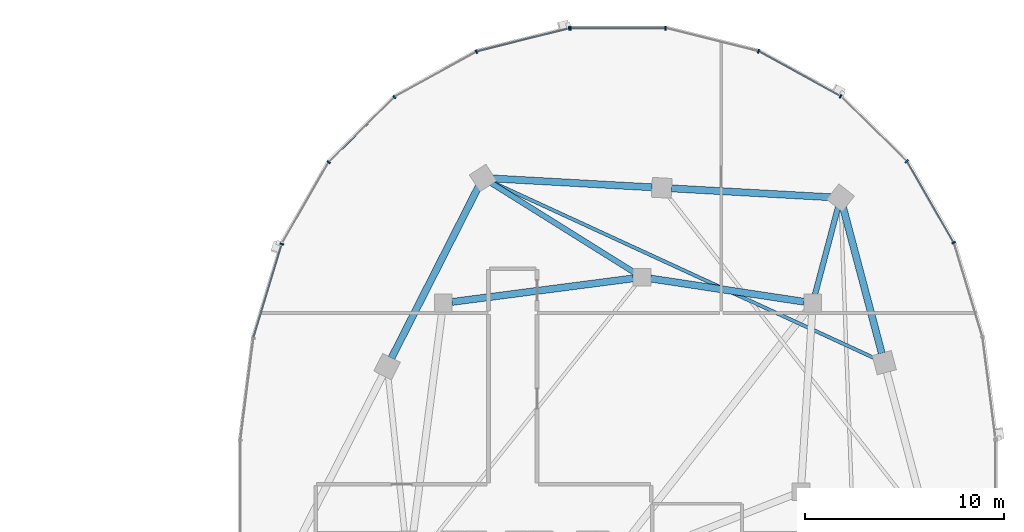
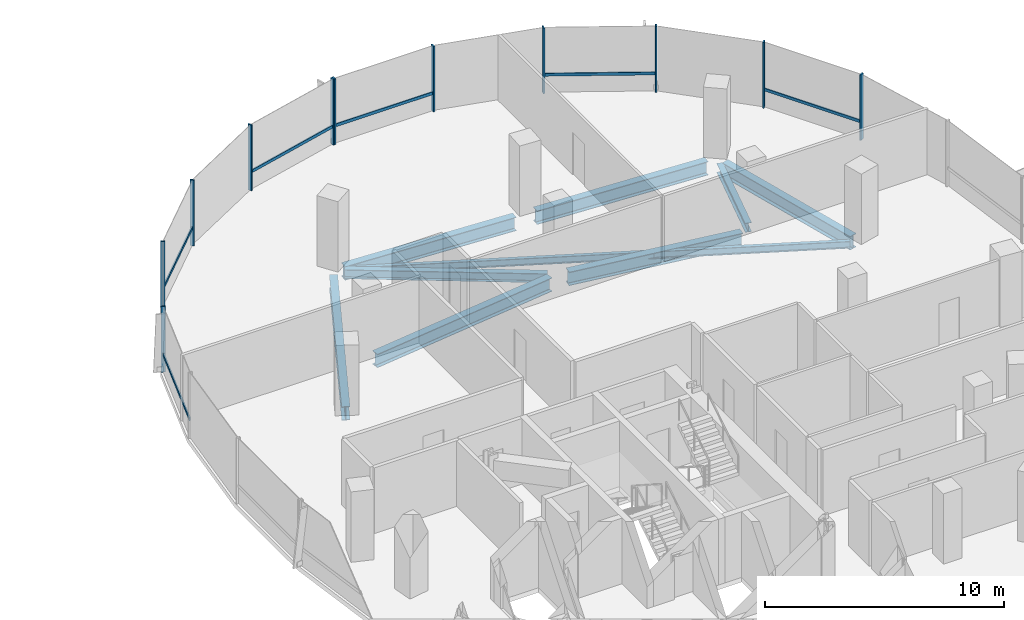
# One storey, part 9 of 22: 17 members, 9 beams, 2 elements without a shape of their own.
"""IFC4 building model written with IfcOpenShell, lengths in metres."""

import ifcopenshell
import ifcopenshell.guid

model = None  # the IFC model being written
_history = None  # IfcOwnerHistory: only IFC2X3 demands one
_inside = {}  # id of a spatial element -> (the spatial element, [elements in it])
_under = {}  # id of a project, library or spatial element -> (it, [spatial elements below it])
_declared = {}  # id of a project -> (the project, [libraries it declares])
_typed = {}  # id of a type object -> (the type object, [elements of that type])
_made_of = {}  # id of a material, layer set ... -> (it, [elements and type objects made of it])


def new_model(schema):
    """Start an empty IFC model of exactly this schema.

    Asked for "IFC4X3", IfcOpenShell would pick the latest addendum, in which some entities
    have other attributes; the version numbers below select the first issue.
    IFC2X3 requires an IfcOwnerHistory on every rooted entity: one is made here for all.
    """
    global model, _history
    if schema == "IFC4X3":
        model = ifcopenshell.file(schema_version=(4, 3, 0, 0))
    else:
        model = ifcopenshell.file(schema=schema)
    _inside.clear()
    _under.clear()
    _declared.clear()
    _typed.clear()
    _made_of.clear()
    _history = None
    if model.schema == "IFC2X3":
        org = make("IfcOrganization", Name="unknown")
        user = make(
            "IfcPersonAndOrganization",
            ThePerson=make("IfcPerson", FamilyName="unknown"),
            TheOrganization=org,
        )
        app = make(
            "IfcApplication",
            ApplicationDeveloper=org,
            Version="unknown",
            ApplicationFullName="unknown",
            ApplicationIdentifier="unknown",
        )
        _history = make(
            "IfcOwnerHistory",
            OwningUser=user,
            OwningApplication=app,
            ChangeAction="ADDED",
            CreationDate=0,
        )
    return model


def make(cls, **values):
    """One entity of the class cls with the attributes given. An attribute that is None is left unset."""
    return model.create_entity(
        cls, **{name: value for name, value in values.items() if value is not None}
    )


def rooted(cls, **values):
    """An entity with a GlobalId (a new one), such as an element, a storey or a relation."""
    return make(cls, GlobalId=ifcopenshell.guid.new(), OwnerHistory=_history, **values)


def si_unit(unit_type, name, prefix=None):
    """IfcSIUnit, for example si_unit("LENGTHUNIT", "METRE", prefix="MILLI")."""
    return make("IfcSIUnit", UnitType=unit_type, Prefix=prefix, Name=name)


def assignment(units):
    """IfcUnitAssignment: the units of a project."""
    return None if units is None else make("IfcUnitAssignment", Units=units)


def point(xyz):
    """IfcCartesianPoint."""
    return None if xyz is None else make("IfcCartesianPoint", Coordinates=xyz)


def direction(xyz):
    """IfcDirection."""
    return None if xyz is None else make("IfcDirection", DirectionRatios=xyz)


def frame(location, z_axis=None, x_axis=None):
    """IfcAxis2Placement3D, a coordinate frame: its origin and axes. An axis left out is left unset."""
    return make(
        "IfcAxis2Placement3D",
        Location=point(location),
        Axis=direction(z_axis),
        RefDirection=direction(x_axis),
    )


def frame_2d(location, x_axis=None):
    """IfcAxis2Placement2D, a coordinate frame in the plane: its origin and x axis."""
    return make(
        "IfcAxis2Placement2D", Location=point(location), RefDirection=direction(x_axis)
    )


def origin():
    """The frame at (0, 0, 0) with its axes left unset."""
    return frame((0.0, 0.0, 0.0))


def origin_2d():
    """The frame at (0, 0) in the plane with its x axis left unset."""
    return frame_2d((0.0, 0.0))


def place(relative_to, where):
    """IfcLocalPlacement: puts the frame where relative to a parent placement (None: the world)."""
    return make(
        "IfcLocalPlacement", PlacementRelTo=relative_to, RelativePlacement=where
    )


def context(
    kind, dimensions, precision=None, world=None, true_north=None, identifier=None
):
    """IfcGeometricRepresentationContext, for example the 3D "Model" context."""
    return make(
        "IfcGeometricRepresentationContext",
        ContextIdentifier=identifier,
        ContextType=kind,
        CoordinateSpaceDimension=dimensions,
        Precision=precision,
        WorldCoordinateSystem=world,
        TrueNorth=true_north,
    )


def subcontext(parent, identifier, kind, view, scale=None):
    """IfcGeometricRepresentationSubContext, for example "Body" below "Model"."""
    return make(
        "IfcGeometricRepresentationSubContext",
        ContextIdentifier=identifier,
        ContextType=kind,
        ParentContext=parent,
        TargetScale=scale,
        TargetView=view,
    )


def project(units=None, contexts=None):
    """IfcProject with its units and contexts."""
    return rooted(
        "IfcProject",
        Name="project",
        RepresentationContexts=contexts,
        UnitsInContext=assignment(units),
    )


def spatial(cls, under=None, at=None, **own):
    """A site, building, storey or space (cls), placed at a placement, below another one or the project."""
    s = rooted(cls, ObjectPlacement=at, **own)
    if under is not None:
        _under.setdefault(under.id(), (under, []))[1].append(s)
    return s


def profile(cls, at=None, kind="AREA", **sizes):
    """A parametric profile (cls). Its sizes go by their IFC names, for example OverallWidth=200.0."""
    return make(cls, ProfileType=kind, Position=at, **sizes)


def rectangle(**sizes):
    """IfcRectangleProfileDef."""
    return profile("IfcRectangleProfileDef", **sizes)


def i_section(**sizes):
    """IfcIShapeProfileDef."""
    return profile("IfcIShapeProfileDef", **sizes)


def extrude(swept, where, along, depth):
    """IfcExtrudedAreaSolid: the profile swept, set in the frame where, extruded along a direction by depth."""
    return make(
        "IfcExtrudedAreaSolid",
        SweptArea=swept,
        Position=where,
        ExtrudedDirection=direction(along),
        Depth=depth,
    )


def shape(context_of_items, identifier, shape_type, items):
    """IfcShapeRepresentation: the items that make up one representation, for example the "Body"."""
    return make(
        "IfcShapeRepresentation",
        ContextOfItems=context_of_items,
        RepresentationIdentifier=identifier,
        RepresentationType=shape_type,
        Items=items,
    )


def material(Name=None, Category=None):
    """IfcMaterial."""
    return make("IfcMaterial", Name=Name, Category=Category)


def material_profile(
    of_material, cross_section, Name=None, Category=None, Priority=None
):
    """IfcMaterialProfile: a cross section and its material."""
    return make(
        "IfcMaterialProfile",
        Name=Name,
        Material=of_material,
        Profile=cross_section,
        Priority=Priority,
        Category=Category,
    )


def profile_set(profiles, Name=None, composite=None):
    """IfcMaterialProfileSet."""
    return make(
        "IfcMaterialProfileSet",
        Name=Name,
        MaterialProfiles=profiles,
        CompositeProfile=composite,
    )


def made_of(thing, what):
    """Note that an element or type object is made of a material, layer set ...; save() writes the relation."""
    if what is not None:
        _made_of.setdefault(what.id(), (what, []))[1].append(thing)
    return thing


def type_object(cls, material=None, **own):
    """A type object (cls), such as IfcWallType, which elements share."""
    return made_of(rooted(cls, **own), material)


def element(
    cls,
    number,
    at=None,
    inside=None,
    cuts=None,
    type_object=None,
    material=None,
    context=None,
    identifier="Body",
    shape_type=None,
    held_by="IfcProductDefinitionShape",
    body=None,
    shapes=None,
    **own,
):
    """One element of the class cls, such as IfcWall. Its Tag is "e" and its number.

    at: its placement. inside: the storey or other place that contains it. cuts: it is an
    opening in that element (IfcRelVoidsElement). A single representation is given by context,
    identifier, shape_type and body (its items); several are given by shapes. held_by: the class
    of the entity that holds the representations. save() writes the other relations.
    """
    e = rooted(cls, Tag="e%d" % number, ObjectPlacement=at, **own)
    if body is not None:
        shapes = [shape(context, identifier, shape_type, body)]
    if shapes is not None:
        e.Representation = make(held_by, Representations=shapes)
    if inside is not None:
        _inside.setdefault(inside.id(), (inside, []))[1].append(e)
    if cuts is not None:
        rooted(
            "IfcRelVoidsElement", RelatingBuildingElement=cuts, RelatedOpeningElement=e
        )
    if type_object is not None:
        _typed.setdefault(type_object.id(), (type_object, []))[1].append(e)
    return made_of(e, material)


def aggregate(whole, parts):
    """IfcRelAggregates: a whole, such as a stair, and the parts it consists of."""
    return rooted("IfcRelAggregates", RelatingObject=whole, RelatedObjects=parts)


def save(model, path):
    """Write the relations noted so far, then the file.

    IfcRelAggregates (storeys below a building ...), IfcRelContainedInSpatialStructure (elements
    in a storey), IfcRelDefinesByType, IfcRelAssociatesMaterial and IfcRelDeclares: one each for
    every whole, place, type object, material and project.
    """
    for whole, parts in _under.values():
        aggregate(whole, parts)
    for where, things in _inside.values():
        rooted(
            "IfcRelContainedInSpatialStructure",
            RelatedElements=things,
            RelatingStructure=where,
        )
    for kind, things in _typed.values():
        rooted("IfcRelDefinesByType", RelatedObjects=things, RelatingType=kind)
    for what, things in _made_of.values():
        rooted("IfcRelAssociatesMaterial", RelatedObjects=things, RelatingMaterial=what)
    for by, libraries in _declared.values():
        rooted("IfcRelDeclares", RelatingContext=by, RelatedDefinitions=libraries)
    model.write(path)


model = new_model("IFC4")

# Units and contexts
model_context = context("Model", 3, precision=1e-05, world=origin(), true_north=direction((0.0, 1.0)))
body_context = subcontext(model_context, "Body", "Model", "MODEL_VIEW")
ifc_project = project(units=[si_unit("LENGTHUNIT", "METRE"), si_unit("AREAUNIT", "SQUARE_METRE"), si_unit("VOLUMEUNIT", "CUBIC_METRE"), si_unit("PLANEANGLEUNIT", "RADIAN"), si_unit("MASSUNIT", "GRAM", prefix="KILO"), si_unit("THERMODYNAMICTEMPERATUREUNIT", "KELVIN"), si_unit("POWERUNIT", "WATT")], contexts=[model_context])

# Site, building, storey
site_placement = place(None, origin())
site = spatial("IfcSite", under=ifc_project, at=site_placement, CompositionType="ELEMENT")
building_placement = place(site_placement, origin())
building = spatial("IfcBuilding", under=site, at=building_placement, Name="Cundina Bronze Exchange", CompositionType="ELEMENT")
storey_placement = place(building_placement, frame((0.0, 0.0, 147.60009765625)))
storey = spatial("IfcBuildingStorey", under=building, at=storey_placement, Name="L38", CompositionType="ELEMENT", Elevation=147.60009765625)

# Beams
ifc_material_1 = material(Name="Steel ASTM A992 Grade 50", Category="steel")
ifc_material_profile_1 = material_profile(ifc_material_1, i_section(OverallWidth=0.280029296875, OverallDepth=0.462890625, WebThickness=0.0107421875, FlangeThickness=0.017333984375, FilletRadius=0.011962890625, at=origin_2d()), Name="W18X76", Category="steel")
ifc_profile_set_1 = profile_set([ifc_material_profile_1], Name="Steel ASTM A992 Grade 50")
beam_type_1 = type_object("IfcBeamType", Name="BM-FLR-W18A", PredefinedType="BEAM", material=ifc_profile_set_1)
beam_1_placement = place(storey_placement, frame((41.911865234375, 9.923583984375, -0.4716796875), z_axis=(0.255413807463, 0.966831829719, 0.0), x_axis=(-0.966831829719, 0.255413807463, 0.0)))
element("IfcBeam", 1, at=beam_1_placement, inside=storey, type_object=beam_type_1, Name="L38 Leg E Chordal Floor Beam 10", PredefinedType="BEAM", context=body_context, shape_type="SweptSolid", body=[
    extrude(i_section(OverallWidth=0.280029296875, OverallDepth=0.462890625, WebThickness=0.0107421875, FlangeThickness=0.017333984375, FilletRadius=0.011962890625, at=origin_2d()), origin(), (0.0, 0.0, 1.0), 4.5556640625),
])
beam_2_placement = place(storey_placement, frame((32.82861328125, 11.031982421875, -0.4716796875), z_axis=(-0.847985407265, 0.530019574228, 0.0), x_axis=(-0.530019574228, -0.847985407265, 0.0)))
element("IfcBeam", 2, at=beam_2_placement, inside=storey, type_object=beam_type_1, Name="L38 Leg E Chordal Floor Beam 12", PredefinedType="BEAM", context=body_context, shape_type="SweptSolid", body=[
    extrude(i_section(OverallWidth=0.280029296875, OverallDepth=0.462890625, WebThickness=0.0107421875, FlangeThickness=0.017333984375, FilletRadius=0.011962890625, at=origin_2d()), origin(), (0.0, 0.0, 1.0), 8.50830078125),
])
ifc_material_profile_2 = material_profile(ifc_material_1, i_section(OverallWidth=0.172119140625, OverallDepth=0.35791015625, WebThickness=0.0078125, FlangeThickness=0.01318359375, FilletRadius=0.010009765625, at=origin_2d()), Name="W14X38", Category="steel")
ifc_profile_set_2 = profile_set([ifc_material_profile_2], Name="Steel ASTM A992 Grade 50")
beam_type_2 = type_object("IfcBeamType", Name="BM-JST-W14", PredefinedType="JOIST", material=ifc_profile_set_2)
beam_3_placement = place(storey_placement, frame((44.956787109375, 6.7041015625, -0.419189453125), z_axis=(-0.908353865734, 0.418202408655, 0.0), x_axis=(-0.418202408655, -0.908353865734, 0.0)))
element("IfcBeam", 3, at=beam_3_placement, inside=storey, type_object=beam_type_2, Name="L38 Leg E Lobe Floor Joist 09-12", PredefinedType="JOIST", context=body_context, shape_type="SweptSolid", body=[
    extrude(i_section(OverallWidth=0.172119140625, OverallDepth=0.35791015625, WebThickness=0.0078125, FlangeThickness=0.01318359375, FilletRadius=0.010009765625, at=origin_2d()), origin(), (0.0, 0.0, 1.0), 21.261962890625),
])
ifc_material_profile_3 = material_profile(ifc_material_1, i_section(OverallWidth=0.35498046875, OverallDepth=0.695068359375, WebThickness=0.015380859375, FlangeThickness=0.02490234375, FilletRadius=0.01806640625, at=origin_2d()), Name="W27X146", Category="steel")
ifc_profile_set_3 = profile_set([ifc_material_profile_3], Name="Steel ASTM A992 Grade 50")
beam_type_3 = type_object("IfcBeamType", Name="BM-RING-W27", PredefinedType="USERDEFINED", material=ifc_profile_set_3)
beam_4_placement = place(storey_placement, frame((41.366943359375, 9.5654296875, -0.587646484375), z_axis=(-0.988764903598, 0.149478979839, 0.0), x_axis=(-0.149478979839, -0.988764903598, 0.0)))
element("IfcBeam", 4, at=beam_4_placement, inside=storey, type_object=beam_type_3, Name="L38 E Inner Structural Ring Girder 05", ObjectType="GIRDER", PredefinedType="USERDEFINED", context=body_context, shape_type="SweptSolid", body=[
    extrude(i_section(OverallWidth=0.35498046875, OverallDepth=0.695068359375, WebThickness=0.015380859375, FlangeThickness=0.02490234375, FilletRadius=0.01806640625, at=origin_2d()), origin(), (0.0, 0.0, 1.0), 7.82177734375),
])
beam_5_placement = place(storey_placement, frame((32.765625, 10.743408203125, -0.587646484375), z_axis=(-0.991656498582, -0.128908451316, 0.0), x_axis=(0.128908451316, -0.991656498582, 0.0)))
element("IfcBeam", 5, at=beam_5_placement, inside=storey, type_object=beam_type_3, Name="L38 E Inner Structural Ring Girder 06", ObjectType="GIRDER", PredefinedType="USERDEFINED", context=body_context, shape_type="SweptSolid", body=[
    extrude(i_section(OverallWidth=0.35498046875, OverallDepth=0.695068359375, WebThickness=0.015380859375, FlangeThickness=0.02490234375, FilletRadius=0.01806640625, at=origin_2d()), origin(), (0.0, 0.0, 1.0), 9.208251953125),
])
beam_6_placement = place(storey_placement, frame((45.27490234375, 6.9716796875, -0.587646484375), z_axis=(-0.256210841755, 0.96662092082, 0.0), x_axis=(-0.96662092082, -0.256210841755, 0.0)))
element("IfcBeam", 6, at=beam_6_placement, inside=storey, type_object=beam_type_3, Name="L38 E Perimeter Ring Girder 09", ObjectType="GIRDER", PredefinedType="USERDEFINED", context=body_context, shape_type="SweptSolid", body=[
    extrude(i_section(OverallWidth=0.35498046875, OverallDepth=0.695068359375, WebThickness=0.015380859375, FlangeThickness=0.02490234375, FilletRadius=0.01806640625, at=origin_2d()), origin(), (0.0, 0.0, 1.0), 7.61083984375),
])
for number, where, z_axis, x_axis, name in (
    (7, (42.712890625, 14.8271484375, -0.587646484375), (-0.998460820451, 0.055461608559, 0.0), (-0.055461608559, -0.998460820451, 0.0), "L38 E Perimeter Ring Girder 10"),
    (8, (33.712890625, 15.3271484375, -0.587646484375), (-0.998460820451, 0.055461608559, 0.0), (-0.055461608559, -0.998460820451, 0.0), "L38 E Perimeter Ring Girder 11"),
):
    element("IfcBeam", number, at=place(storey_placement, frame(where, z_axis=z_axis, x_axis=x_axis)), inside=storey, type_object=beam_type_3, Name=name, ObjectType="GIRDER", PredefinedType="USERDEFINED", context=body_context, shape_type="SweptSolid", body=[
        extrude(i_section(OverallWidth=0.35498046875, OverallDepth=0.695068359375, WebThickness=0.015380859375, FlangeThickness=0.02490234375, FilletRadius=0.01806640625, at=origin_2d()), origin(), (0.0, 0.0, 1.0), 8.0380859375),
    ])
beam_7_placement = place(storey_placement, frame((24.97900390625, 15.364990234375, -0.587646484375), z_axis=(-0.452834585354, -0.891594548159, 0.0), x_axis=(0.891594548159, -0.452834585354, 0.0)))
element("IfcBeam", 9, at=beam_7_placement, inside=storey, type_object=beam_type_3, Name="L38 E Perimeter Ring Girder 12", ObjectType="GIRDER", PredefinedType="USERDEFINED", context=body_context, shape_type="SweptSolid", body=[
    extrude(i_section(OverallWidth=0.35498046875, OverallDepth=0.695068359375, WebThickness=0.015380859375, FlangeThickness=0.02490234375, FilletRadius=0.01806640625, at=origin_2d()), origin(), (0.0, 0.0, 1.0), 9.67919921875),
])

# Curtain wall, members
ifc_material_2 = material(Name="Anodised Bronze Aluminium 6063-T6", Category="aluminium")
curtain_wall_type = type_object("IfcCurtainWallType", Name="CWS-WST-PIN", PredefinedType="NOTDEFINED", material=ifc_material_2)
curtain_wall_1_placement = place(storey_placement, origin())
curtain_wall_1 = element("IfcCurtainWall", 10, at=curtain_wall_1_placement, inside=storey, type_object=curtain_wall_type, Name="L38 CW-04 Curtain Wall Run CWR-L38-E1", PredefinedType="NOTDEFINED")
ifc_material_profile_4 = material_profile(ifc_material_2, rectangle(XDim=0.070068359375, YDim=0.18994140625, at=origin_2d()), Name="AL70X190", Category="aluminium")
ifc_profile_set_4 = profile_set([ifc_material_profile_4], Name="Anodised Bronze Aluminium 6063-T6")
member_type_1 = type_object("IfcMemberType", Name="CWM-MUL-190", PredefinedType="MULLION", material=ifc_profile_set_4)
member_1_placement = place(storey_placement, frame((48.89794921875, 12.541259765625, 0.0), z_axis=(0.0, 0.0, 1.0), x_axis=(-0.498487739754, 0.866896748936, 0.0)))
member_1 = element("IfcMember", 11, at=member_1_placement, type_object=member_type_1, Name="CW-04 Mullion 3", PredefinedType="MULLION", context=body_context, shape_type="SweptSolid", body=[
    extrude(rectangle(XDim=0.070068359375, YDim=0.18994140625, at=origin_2d()), origin(), (0.0, 0.0, 1.0), 3.35986328125),
])
member_2_placement = place(storey_placement, frame((46.530517578125, 16.640380859375, 0.0), z_axis=(0.0, 0.0, 1.0), x_axis=(-0.712026045991, 0.702153052995, 0.0)))
member_2 = element("IfcMember", 12, at=member_2_placement, type_object=member_type_1, Name="CW-04 Mullion 4", PredefinedType="MULLION", context=body_context, shape_type="SweptSolid", body=[
    extrude(rectangle(XDim=0.070068359375, YDim=0.18994140625, at=origin_2d()), origin(), (0.0, 0.0, 1.0), 3.35986328125),
])
member_3_placement = place(storey_placement, frame((43.20654296875, 19.906005859375, 0.0), z_axis=(0.0, 0.0, 1.0), x_axis=(-0.875885937035, 0.482518212408, 0.0)))
member_3 = element("IfcMember", 13, at=member_3_placement, type_object=member_type_1, Name="CW-04 Mullion 5", PredefinedType="MULLION", context=body_context, shape_type="SweptSolid", body=[
    extrude(rectangle(XDim=0.070068359375, YDim=0.18994140625, at=origin_2d()), origin(), (0.0, 0.0, 1.0), 3.35986328125),
])
member_4_placement = place(storey_placement, frame((39.067626953125, 22.17626953125, 0.0), z_axis=(0.0, 0.0, 1.0), x_axis=(-0.970084240161, 0.242768546132, 0.0)))
member_4 = element("IfcMember", 14, at=member_4_placement, type_object=member_type_1, Name="CW-04 Mullion 6", PredefinedType="MULLION", context=body_context, shape_type="SweptSolid", body=[
    extrude(rectangle(XDim=0.070068359375, YDim=0.18994140625, at=origin_2d()), origin(), (0.0, 0.0, 1.0), 3.35986328125),
])
member_5_placement = place(storey_placement, frame((34.39404296875, 23.3369140625, 0.0), z_axis=(0.0, 0.0, 1.0), x_axis=(-1.0, 0.0, 0.0)))
member_5 = element("IfcMember", 15, at=member_5_placement, type_object=member_type_1, Name="CW-04 Mullion 7", PredefinedType="MULLION", context=body_context, shape_type="SweptSolid", body=[
    extrude(rectangle(XDim=0.070068359375, YDim=0.18994140625, at=origin_2d()), origin(), (0.0, 0.0, 1.0), 3.35986328125),
])
member_6_placement = place(storey_placement, frame((29.60595703125, 23.3369140625, 0.0), z_axis=(0.0, 0.0, 1.0), x_axis=(-1.0, 0.0, 0.0)))
member_6 = element("IfcMember", 16, at=member_6_placement, type_object=member_type_1, Name="CW-04 End Mullion", PredefinedType="MULLION", context=body_context, shape_type="SweptSolid", body=[
    extrude(rectangle(XDim=0.070068359375, YDim=0.18994140625, at=origin_2d()), origin(), (0.0, 0.0, 1.0), 3.35986328125),
])

curtain_wall_2_placement = place(storey_placement, origin())
curtain_wall_2 = element("IfcCurtainWall", 17, at=curtain_wall_2_placement, inside=storey, type_object=curtain_wall_type, Name="L38 CW-04 Curtain Wall Run CWR-L38-E2", PredefinedType="NOTDEFINED")
member_7_placement = place(storey_placement, frame((29.537353515625, 23.32861328125, 0.0), z_axis=(0.0, 0.0, 1.0), x_axis=(-0.970084240161, -0.242768546132, 0.0)))
member_7 = element("IfcMember", 18, at=member_7_placement, type_object=member_type_1, Name="CW-04 Mullion 1", PredefinedType="MULLION", context=body_context, shape_type="SweptSolid", body=[
    extrude(rectangle(XDim=0.070068359375, YDim=0.18994140625, at=origin_2d()), origin(), (0.0, 0.0, 1.0), 3.35986328125),
])
member_8_placement = place(storey_placement, frame((24.86962890625, 22.151611328125, 0.0), z_axis=(0.0, 0.0, 1.0), x_axis=(-0.875885937035, -0.482518212408, 0.0)))
member_8 = element("IfcMember", 19, at=member_8_placement, type_object=member_type_1, Name="CW-04 Mullion 2", PredefinedType="MULLION", context=body_context, shape_type="SweptSolid", body=[
    extrude(rectangle(XDim=0.070068359375, YDim=0.18994140625, at=origin_2d()), origin(), (0.0, 0.0, 1.0), 3.35986328125),
])
member_9_placement = place(storey_placement, frame((20.740966796875, 19.86669921875, 0.0), z_axis=(0.0, 0.0, 1.0), x_axis=(-0.712026045991, -0.702153052995, 0.0)))
member_9 = element("IfcMember", 20, at=member_9_placement, type_object=member_type_1, Name="CW-04 Mullion 3", PredefinedType="MULLION", context=body_context, shape_type="SweptSolid", body=[
    extrude(rectangle(XDim=0.070068359375, YDim=0.18994140625, at=origin_2d()), origin(), (0.0, 0.0, 1.0), 3.35986328125),
])
member_10_placement = place(storey_placement, frame((17.42919921875, 16.588134765625, 0.0), z_axis=(0.0, 0.0, 1.0), x_axis=(-0.498487739754, -0.866896748936, 0.0)))
member_10 = element("IfcMember", 21, at=member_10_placement, type_object=member_type_1, Name="CW-04 Mullion 4", PredefinedType="MULLION", context=body_context, shape_type="SweptSolid", body=[
    extrude(rectangle(XDim=0.070068359375, YDim=0.18994140625, at=origin_2d()), origin(), (0.0, 0.0, 1.0), 3.35986328125),
])
member_11_placement = place(storey_placement, frame((15.07373046875, 12.4755859375, 0.0), z_axis=(0.0, 0.0, 1.0), x_axis=(-0.290034140915, -0.957016299288, 0.0)))
member_11 = element("IfcMember", 22, at=member_11_placement, type_object=member_type_1, Name="CW-04 Mullion 5", PredefinedType="MULLION", context=body_context, shape_type="SweptSolid", body=[
    extrude(rectangle(XDim=0.070068359375, YDim=0.18994140625, at=origin_2d()), origin(), (0.0, 0.0, 1.0), 3.35986328125),
])

# Member
ifc_material_profile_5 = material_profile(ifc_material_2, rectangle(XDim=0.06494140625, YDim=0.14990234375, at=origin_2d()), Name="AL65X150", Category="aluminium")
ifc_profile_set_5 = profile_set([ifc_material_profile_5], Name="Anodised Bronze Aluminium 6063-T6")
member_type_2 = type_object("IfcMemberType", Name="CWM-TRN-150", PredefinedType="USERDEFINED", material=ifc_profile_set_5)
member_12_placement = place(storey_placement, frame((48.878662109375, 12.574462890625, 0.919921875), z_axis=(-0.498479967047, 0.866901218394, 0.0), x_axis=(-0.866901218394, -0.498479967047, 0.0)))
member_12 = element("IfcMember", 23, at=member_12_placement, type_object=member_type_2, Name="CW-04 Spandrel Transom 3", ObjectType="TRANSOM", PredefinedType="USERDEFINED", context=body_context, shape_type="SweptSolid", body=[
    extrude(rectangle(XDim=0.06494140625, YDim=0.14990234375, at=origin_2d()), origin(), (0.0, 0.0, 1.0), 4.66845703125),
])

member_13_placement = place(storey_placement, frame((43.1728515625, 19.924560546875, 0.919921875), z_axis=(-0.875878981549, 0.482530838062, 0.0), x_axis=(-0.482530838062, -0.875878981549, 0.0)))
member_13 = element("IfcMember", 24, at=member_13_placement, type_object=member_type_2, Name="CW-04 Spandrel Transom 5", ObjectType="TRANSOM", PredefinedType="USERDEFINED", context=body_context, shape_type="SweptSolid", body=[
    extrude(rectangle(XDim=0.06494140625, YDim=0.14990234375, at=origin_2d()), origin(), (0.0, 0.0, 1.0), 4.65380859375),
])

member_14_placement = place(storey_placement, frame((34.35546875, 23.3369140625, 0.919921875), z_axis=(-1.0, 0.0, 0.0), x_axis=(0.0, -1.0, 0.0)))
member_14 = element("IfcMember", 25, at=member_14_placement, type_object=member_type_2, Name="CW-04 Spandrel Transom 7", ObjectType="TRANSOM", PredefinedType="USERDEFINED", context=body_context, shape_type="SweptSolid", body=[
    extrude(rectangle(XDim=0.06494140625, YDim=0.14990234375, at=origin_2d()), origin(), (0.0, 0.0, 1.0), 4.7109375),
])

aggregate(curtain_wall_1, [member_1, member_12, member_2, member_3, member_13, member_4, member_5, member_6, member_14])

member_15_placement = place(storey_placement, frame((29.5, 23.319091796875, 0.919921875), z_axis=(-0.970100130035, -0.242705042606, 0.0), x_axis=(0.242705042606, -0.970100130035, 0.0)))
member_15 = element("IfcMember", 26, at=member_15_placement, type_object=member_type_2, Name="CW-04 Spandrel Transom 1", ObjectType="TRANSOM", PredefinedType="USERDEFINED", context=body_context, shape_type="SweptSolid", body=[
    extrude(rectangle(XDim=0.06494140625, YDim=0.14990234375, at=origin_2d()), origin(), (0.0, 0.0, 1.0), 4.746826171875),
])

member_16_placement = place(storey_placement, frame((20.71337890625, 19.839599609375, 0.919921875), z_axis=(-0.712005023839, -0.702174370102, 0.0), x_axis=(0.702174370102, -0.712005023839, 0.0)))
member_16 = element("IfcMember", 27, at=member_16_placement, type_object=member_type_2, Name="CW-04 Spandrel Transom 3", ObjectType="TRANSOM", PredefinedType="USERDEFINED", context=body_context, shape_type="SweptSolid", body=[
    extrude(rectangle(XDim=0.06494140625, YDim=0.14990234375, at=origin_2d()), origin(), (0.0, 0.0, 1.0), 4.594482421875),
])

member_17_placement = place(storey_placement, frame((15.062744140625, 12.43896484375, 0.919921875), z_axis=(-0.290051855969, -0.957010930371, 0.0), x_axis=(0.957010930371, -0.290051855969, 0.0)))
member_17 = element("IfcMember", 28, at=member_17_placement, type_object=member_type_2, Name="CW-04 Spandrel Transom 5", ObjectType="TRANSOM", PredefinedType="USERDEFINED", context=body_context, shape_type="SweptSolid", body=[
    extrude(rectangle(XDim=0.06494140625, YDim=0.14990234375, at=origin_2d()), origin(), (0.0, 0.0, 1.0), 4.876953125),
])

aggregate(curtain_wall_2, [member_7, member_15, member_8, member_9, member_16, member_10, member_11, member_17])

save(model, "model.ifc")
